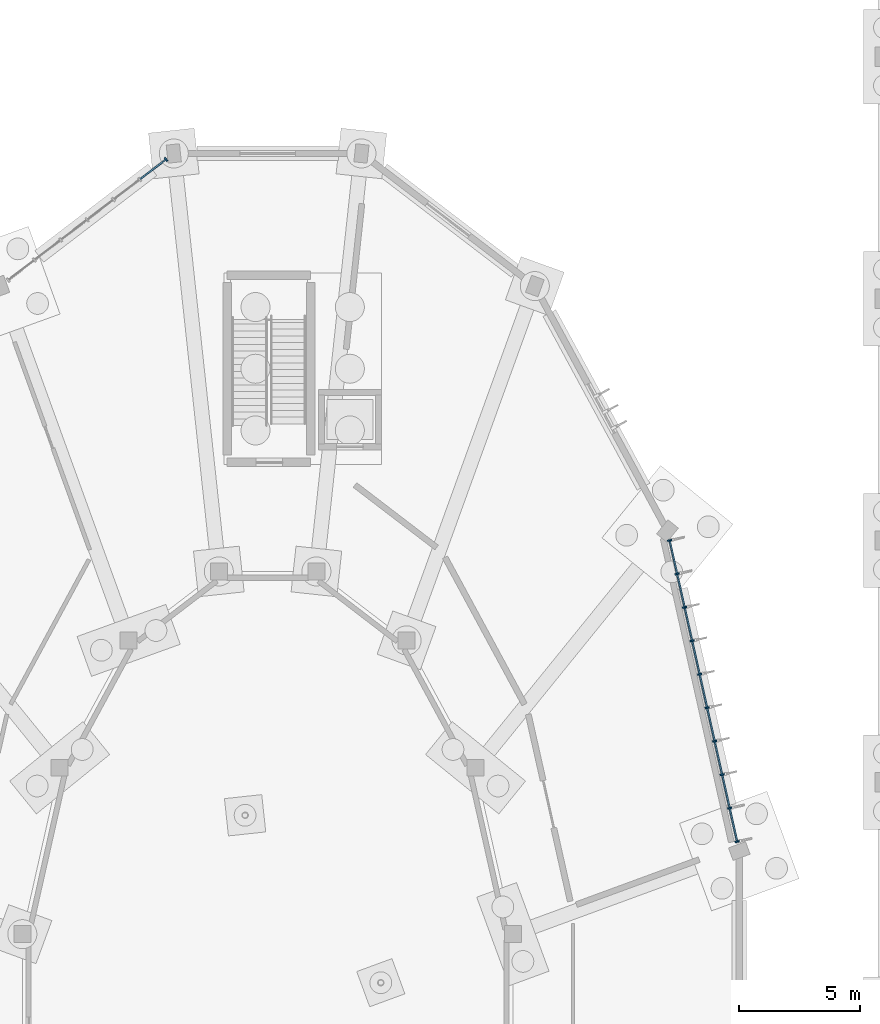
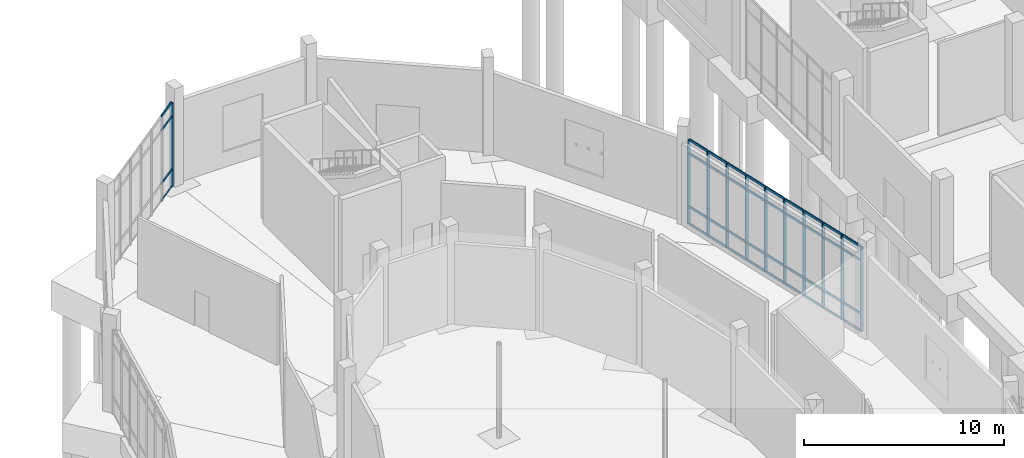
# One storey, part 50 of 140: 51 members, 2 elements without a shape of their own.
"""IFC4 building model written with IfcOpenShell, lengths in metres."""

from ifc_helpers import new_model, si_unit, direction, frame, origin, origin_2d, place, context, subcontext, project, spatial, rectangle, extrude, material, layer, layer_set, material_profile, profile_set, type_object, element, aggregate, save


model = new_model("IFC4")

# Units and contexts
model_context = context("Model", 3, precision=1e-05, world=origin(), true_north=direction((0.0, 1.0)))
body_context = subcontext(model_context, "Body", "Model", "MODEL_VIEW")
ifc_project = project(units=[si_unit("LENGTHUNIT", "METRE"), si_unit("AREAUNIT", "SQUARE_METRE"), si_unit("VOLUMEUNIT", "CUBIC_METRE"), si_unit("PLANEANGLEUNIT", "RADIAN"), si_unit("MASSUNIT", "GRAM", prefix="KILO")], contexts=[model_context])

# Site, building, storey
site_placement = place(None, origin())
site = spatial("IfcSite", under=ifc_project, at=site_placement, CompositionType="ELEMENT")
building_placement = place(site_placement, origin())
building = spatial("IfcBuilding", under=site, at=building_placement, Name="Corvandel Quay Wholesale Market", CompositionType="ELEMENT")
storey_placement = place(building_placement, origin())
storey = spatial("IfcBuildingStorey", under=building, at=storey_placement, Name="L00", CompositionType="ELEMENT", Elevation=0.0)

# Curtain wall, members
ifc_material_1 = material(Name="Bronze anodised aluminium and low-E insulated glazing", Category="aluminium")
ifc_layer_1 = layer(ifc_material_1, 0.174072265625)
ifc_layer_set_1 = layer_set([ifc_layer_1], Name="Bronze anodised aluminium and low-E insulated glazing")
curtain_wall_type_1 = type_object("IfcCurtainWallType", Name="Stick Curtain Wall System CW02 H3180", PredefinedType="NOTDEFINED", material=ifc_layer_set_1)
curtain_wall_1_placement = place(storey_placement, origin())
curtain_wall_1 = element("IfcCurtainWall", 1, at=curtain_wall_1_placement, inside=storey, type_object=curtain_wall_type_1, Name="Curtain Wall CW-0130", PredefinedType="NOTDEFINED")
ifc_material_2 = material(Name="Anodised aluminium 6063-T6", Category="aluminium")
ifc_material_profile_1 = material_profile(ifc_material_2, rectangle(XDim=0.06494140625, YDim=0.179931640625, at=origin_2d()), Name="ALU-MUL-65x180")
ifc_profile_set_1 = profile_set([ifc_material_profile_1], Name="Anodised aluminium 6063-T6")
member_type_1 = type_object("IfcMemberType", Name="Curtain Wall Mullion ML01 65x180", PredefinedType="MULLION", material=ifc_profile_set_1)
member_1_placement = place(storey_placement, frame((213.912353515625, 67.55126953125, 0.0), z_axis=(0.0, 0.0, 1.0), x_axis=(-0.218994806262, 0.975726024471, 0.0)))
member_1 = element("IfcMember", 2, at=member_1_placement, type_object=member_type_1, Name="Mullion CW-0130-M00", PredefinedType="MULLION", context=body_context, shape_type="SweptSolid", body=[
    extrude(rectangle(XDim=0.06494140625, YDim=0.179931640625, at=origin_2d()), origin(), (0.0, 0.0, 1.0), 5.14990234375),
])
member_2_placement = place(storey_placement, frame((213.60205078125, 68.934814453125, 0.0), z_axis=(0.0, 0.0, 1.0), x_axis=(-0.218994806262, 0.975726024471, 0.0)))
member_2 = element("IfcMember", 3, at=member_2_placement, type_object=member_type_1, Name="Mullion CW-0130-M01", PredefinedType="MULLION", context=body_context, shape_type="SweptSolid", body=[
    extrude(rectangle(XDim=0.06494140625, YDim=0.179931640625, at=origin_2d()), origin(), (0.0, 0.0, 1.0), 5.14990234375),
])
member_3_placement = place(storey_placement, frame((213.29150390625, 70.318115234375, 0.0), z_axis=(0.0, 0.0, 1.0), x_axis=(-0.218994806262, 0.975726024471, 0.0)))
member_3 = element("IfcMember", 4, at=member_3_placement, type_object=member_type_1, Name="Mullion CW-0130-M02", PredefinedType="MULLION", context=body_context, shape_type="SweptSolid", body=[
    extrude(rectangle(XDim=0.06494140625, YDim=0.179931640625, at=origin_2d()), origin(), (0.0, 0.0, 1.0), 5.14990234375),
])
member_4_placement = place(storey_placement, frame((212.981201171875, 71.701416015625, 0.0), z_axis=(0.0, 0.0, 1.0), x_axis=(-0.218994806262, 0.975726024471, 0.0)))
member_4 = element("IfcMember", 5, at=member_4_placement, type_object=member_type_1, Name="Mullion CW-0130-M03", PredefinedType="MULLION", context=body_context, shape_type="SweptSolid", body=[
    extrude(rectangle(XDim=0.06494140625, YDim=0.179931640625, at=origin_2d()), origin(), (0.0, 0.0, 1.0), 5.14990234375),
])
member_5_placement = place(storey_placement, frame((212.670654296875, 73.084716796875, 0.0), z_axis=(0.0, 0.0, 1.0), x_axis=(-0.218994806262, 0.975726024471, 0.0)))
member_5 = element("IfcMember", 6, at=member_5_placement, type_object=member_type_1, Name="Mullion CW-0130-M04", PredefinedType="MULLION", context=body_context, shape_type="SweptSolid", body=[
    extrude(rectangle(XDim=0.06494140625, YDim=0.179931640625, at=origin_2d()), origin(), (0.0, 0.0, 1.0), 5.14990234375),
])
member_6_placement = place(storey_placement, frame((212.3603515625, 74.46826171875, 0.0), z_axis=(0.0, 0.0, 1.0), x_axis=(-0.218994806262, 0.975726024471, 0.0)))
member_6 = element("IfcMember", 7, at=member_6_placement, type_object=member_type_1, Name="Mullion CW-0130-M05", PredefinedType="MULLION", context=body_context, shape_type="SweptSolid", body=[
    extrude(rectangle(XDim=0.06494140625, YDim=0.179931640625, at=origin_2d()), origin(), (0.0, 0.0, 1.0), 5.14990234375),
])
member_7_placement = place(storey_placement, frame((212.0498046875, 75.8515625, 0.0), z_axis=(0.0, 0.0, 1.0), x_axis=(-0.218994806262, 0.975726024471, 0.0)))
member_7 = element("IfcMember", 8, at=member_7_placement, type_object=member_type_1, Name="Mullion CW-0130-M06", PredefinedType="MULLION", context=body_context, shape_type="SweptSolid", body=[
    extrude(rectangle(XDim=0.06494140625, YDim=0.179931640625, at=origin_2d()), origin(), (0.0, 0.0, 1.0), 5.14990234375),
])
member_8_placement = place(storey_placement, frame((211.739501953125, 77.23486328125, 0.0), z_axis=(0.0, 0.0, 1.0), x_axis=(-0.218994806262, 0.975726024471, 0.0)))
member_8 = element("IfcMember", 9, at=member_8_placement, type_object=member_type_1, Name="Mullion CW-0130-M07", PredefinedType="MULLION", context=body_context, shape_type="SweptSolid", body=[
    extrude(rectangle(XDim=0.06494140625, YDim=0.179931640625, at=origin_2d()), origin(), (0.0, 0.0, 1.0), 5.14990234375),
])
member_9_placement = place(storey_placement, frame((211.428955078125, 78.618408203125, 0.0), z_axis=(0.0, 0.0, 1.0), x_axis=(-0.218994806262, 0.975726024471, 0.0)))
member_9 = element("IfcMember", 10, at=member_9_placement, type_object=member_type_1, Name="Mullion CW-0130-M08", PredefinedType="MULLION", context=body_context, shape_type="SweptSolid", body=[
    extrude(rectangle(XDim=0.06494140625, YDim=0.179931640625, at=origin_2d()), origin(), (0.0, 0.0, 1.0), 5.14990234375),
])
member_10_placement = place(storey_placement, frame((211.11865234375, 80.001708984375, 0.0), z_axis=(0.0, 0.0, 1.0), x_axis=(-0.218994806262, 0.975726024471, 0.0)))
member_10 = element("IfcMember", 11, at=member_10_placement, type_object=member_type_1, Name="Mullion CW-0130-M09", PredefinedType="MULLION", context=body_context, shape_type="SweptSolid", body=[
    extrude(rectangle(XDim=0.06494140625, YDim=0.179931640625, at=origin_2d()), origin(), (0.0, 0.0, 1.0), 5.14990234375),
])

# Curtain wall, member
ifc_layer_2 = layer(ifc_material_1, 0.162109375)
ifc_layer_set_2 = layer_set([ifc_layer_2], Name="Bronze anodised aluminium and low-E insulated glazing")
curtain_wall_type_2 = type_object("IfcCurtainWallType", Name="Stick Curtain Wall System CW06 H3540", PredefinedType="NOTDEFINED", material=ifc_layer_set_2)
curtain_wall_2_placement = place(storey_placement, origin())
curtain_wall_2 = element("IfcCurtainWall", 12, at=curtain_wall_2_placement, inside=storey, type_object=curtain_wall_type_2, Name="Curtain Wall CW-0133", PredefinedType="NOTDEFINED")
member_11_placement = place(storey_placement, frame((190.30322265625, 95.757080078125, 0.0), z_axis=(0.0, 0.0, 1.0), x_axis=(0.794308601354, 0.607514481979, 0.0)))
member_11 = element("IfcMember", 13, at=member_11_placement, type_object=member_type_1, Name="Mullion CW-0133-M00", PredefinedType="MULLION", context=body_context, shape_type="SweptSolid", body=[
    extrude(rectangle(XDim=0.06494140625, YDim=0.179931640625, at=origin_2d()), origin(), (0.0, 0.0, 1.0), 5.14990234375),
])

# Member
ifc_material_profile_2 = material_profile(ifc_material_2, rectangle(XDim=0.06494140625, YDim=0.139892578125, at=origin_2d()), Name="ALU-TRN-65x140")
ifc_profile_set_2 = profile_set([ifc_material_profile_2], Name="Anodised aluminium 6063-T6")
member_type_2 = type_object("IfcMemberType", Name="Curtain Wall Transom TR01 65x140", PredefinedType="USERDEFINED", material=ifc_profile_set_2)
member_12_placement = place(storey_placement, frame((213.9052734375, 67.5830078125, 0.0), z_axis=(-0.2188980935, 0.975747725932, 0.0), x_axis=(-0.975747725932, -0.2188980935, 0.0)))
member_12 = element("IfcMember", 14, at=member_12_placement, type_object=member_type_2, Name="Transom CW-0130-T00-0", ObjectType="TRANSOM", PredefinedType="USERDEFINED", context=body_context, shape_type="SweptSolid", body=[
    extrude(rectangle(XDim=0.06494140625, YDim=0.139892578125, at=origin_2d()), origin(), (0.0, 0.0, 1.0), 1.352783203125),
])

member_13_placement = place(storey_placement, frame((213.9052734375, 67.5830078125, 1.050048828125), z_axis=(-0.2188980935, 0.975747725932, 0.0), x_axis=(-0.975747725932, -0.2188980935, 0.0)))
member_13 = element("IfcMember", 15, at=member_13_placement, type_object=member_type_2, Name="Transom CW-0130-T00-1", ObjectType="TRANSOM", PredefinedType="USERDEFINED", context=body_context, shape_type="SweptSolid", body=[
    extrude(rectangle(XDim=0.06494140625, YDim=0.139892578125, at=origin_2d()), origin(), (0.0, 0.0, 1.0), 1.352783203125),
])

member_14_placement = place(storey_placement, frame((213.9052734375, 67.5830078125, 4.300048828125), z_axis=(-0.2188980935, 0.975747725932, 0.0), x_axis=(-0.975747725932, -0.2188980935, 0.0)))
member_14 = element("IfcMember", 16, at=member_14_placement, type_object=member_type_2, Name="Transom CW-0130-T00-2", ObjectType="TRANSOM", PredefinedType="USERDEFINED", context=body_context, shape_type="SweptSolid", body=[
    extrude(rectangle(XDim=0.06494140625, YDim=0.139892578125, at=origin_2d()), origin(), (0.0, 0.0, 1.0), 1.352783203125),
])

member_15_placement = place(storey_placement, frame((213.9052734375, 67.5830078125, 5.14990234375), z_axis=(-0.2188980935, 0.975747725932, 0.0), x_axis=(-0.975747725932, -0.2188980935, 0.0)))
member_15 = element("IfcMember", 17, at=member_15_placement, type_object=member_type_2, Name="Transom CW-0130-T00-3", ObjectType="TRANSOM", PredefinedType="USERDEFINED", context=body_context, shape_type="SweptSolid", body=[
    extrude(rectangle(XDim=0.06494140625, YDim=0.139892578125, at=origin_2d()), origin(), (0.0, 0.0, 1.0), 1.352783203125),
])

member_16_placement = place(storey_placement, frame((213.594970703125, 68.96630859375, 0.0), z_axis=(-0.219069896418, 0.975709167982, 0.0), x_axis=(-0.975709167982, -0.219069896418, 0.0)))
member_16 = element("IfcMember", 18, at=member_16_placement, type_object=member_type_2, Name="Transom CW-0130-T01-0", ObjectType="TRANSOM", PredefinedType="USERDEFINED", context=body_context, shape_type="SweptSolid", body=[
    extrude(rectangle(XDim=0.06494140625, YDim=0.139892578125, at=origin_2d()), origin(), (0.0, 0.0, 1.0), 1.35302734375),
])

member_17_placement = place(storey_placement, frame((213.594970703125, 68.96630859375, 1.050048828125), z_axis=(-0.219069896418, 0.975709167982, 0.0), x_axis=(-0.975709167982, -0.219069896418, 0.0)))
member_17 = element("IfcMember", 19, at=member_17_placement, type_object=member_type_2, Name="Transom CW-0130-T01-1", ObjectType="TRANSOM", PredefinedType="USERDEFINED", context=body_context, shape_type="SweptSolid", body=[
    extrude(rectangle(XDim=0.06494140625, YDim=0.139892578125, at=origin_2d()), origin(), (0.0, 0.0, 1.0), 1.35302734375),
])

member_18_placement = place(storey_placement, frame((213.594970703125, 68.96630859375, 4.300048828125), z_axis=(-0.219069896418, 0.975709167982, 0.0), x_axis=(-0.975709167982, -0.219069896418, 0.0)))
member_18 = element("IfcMember", 20, at=member_18_placement, type_object=member_type_2, Name="Transom CW-0130-T01-2", ObjectType="TRANSOM", PredefinedType="USERDEFINED", context=body_context, shape_type="SweptSolid", body=[
    extrude(rectangle(XDim=0.06494140625, YDim=0.139892578125, at=origin_2d()), origin(), (0.0, 0.0, 1.0), 1.35302734375),
])

member_19_placement = place(storey_placement, frame((213.594970703125, 68.96630859375, 5.14990234375), z_axis=(-0.219069896418, 0.975709167982, 0.0), x_axis=(-0.975709167982, -0.219069896418, 0.0)))
member_19 = element("IfcMember", 21, at=member_19_placement, type_object=member_type_2, Name="Transom CW-0130-T01-3", ObjectType="TRANSOM", PredefinedType="USERDEFINED", context=body_context, shape_type="SweptSolid", body=[
    extrude(rectangle(XDim=0.06494140625, YDim=0.139892578125, at=origin_2d()), origin(), (0.0, 0.0, 1.0), 1.35302734375),
])

member_20_placement = place(storey_placement, frame((213.284423828125, 70.349853515625, 0.0), z_axis=(-0.218936644466, 0.975739076654, 0.0), x_axis=(-0.975739076654, -0.218936644466, 0.0)))
member_20 = element("IfcMember", 22, at=member_20_placement, type_object=member_type_2, Name="Transom CW-0130-T02-0", ObjectType="TRANSOM", PredefinedType="USERDEFINED", context=body_context, shape_type="SweptSolid", body=[
    extrude(rectangle(XDim=0.06494140625, YDim=0.139892578125, at=origin_2d()), origin(), (0.0, 0.0, 1.0), 1.3525390625),
])

member_21_placement = place(storey_placement, frame((213.284423828125, 70.349853515625, 1.050048828125), z_axis=(-0.218936644466, 0.975739076654, 0.0), x_axis=(-0.975739076654, -0.218936644466, 0.0)))
member_21 = element("IfcMember", 23, at=member_21_placement, type_object=member_type_2, Name="Transom CW-0130-T02-1", ObjectType="TRANSOM", PredefinedType="USERDEFINED", context=body_context, shape_type="SweptSolid", body=[
    extrude(rectangle(XDim=0.06494140625, YDim=0.139892578125, at=origin_2d()), origin(), (0.0, 0.0, 1.0), 1.3525390625),
])

member_22_placement = place(storey_placement, frame((213.284423828125, 70.349853515625, 4.300048828125), z_axis=(-0.218936644466, 0.975739076654, 0.0), x_axis=(-0.975739076654, -0.218936644466, 0.0)))
member_22 = element("IfcMember", 24, at=member_22_placement, type_object=member_type_2, Name="Transom CW-0130-T02-2", ObjectType="TRANSOM", PredefinedType="USERDEFINED", context=body_context, shape_type="SweptSolid", body=[
    extrude(rectangle(XDim=0.06494140625, YDim=0.139892578125, at=origin_2d()), origin(), (0.0, 0.0, 1.0), 1.3525390625),
])

member_23_placement = place(storey_placement, frame((213.284423828125, 70.349853515625, 5.14990234375), z_axis=(-0.218936644466, 0.975739076654, 0.0), x_axis=(-0.975739076654, -0.218936644466, 0.0)))
member_23 = element("IfcMember", 25, at=member_23_placement, type_object=member_type_2, Name="Transom CW-0130-T02-3", ObjectType="TRANSOM", PredefinedType="USERDEFINED", context=body_context, shape_type="SweptSolid", body=[
    extrude(rectangle(XDim=0.06494140625, YDim=0.139892578125, at=origin_2d()), origin(), (0.0, 0.0, 1.0), 1.3525390625),
])

member_24_placement = place(storey_placement, frame((212.97412109375, 71.733154296875, 0.0), z_axis=(-0.21910847459, 0.975700505464, 0.0), x_axis=(-0.975700505464, -0.21910847459, 0.0)))
member_24 = element("IfcMember", 26, at=member_24_placement, type_object=member_type_2, Name="Transom CW-0130-T03-0", ObjectType="TRANSOM", PredefinedType="USERDEFINED", context=body_context, shape_type="SweptSolid", body=[
    extrude(rectangle(XDim=0.06494140625, YDim=0.139892578125, at=origin_2d()), origin(), (0.0, 0.0, 1.0), 1.352783203125),
])

member_25_placement = place(storey_placement, frame((212.97412109375, 71.733154296875, 1.050048828125), z_axis=(-0.21910847459, 0.975700505464, 0.0), x_axis=(-0.975700505464, -0.21910847459, 0.0)))
member_25 = element("IfcMember", 27, at=member_25_placement, type_object=member_type_2, Name="Transom CW-0130-T03-1", ObjectType="TRANSOM", PredefinedType="USERDEFINED", context=body_context, shape_type="SweptSolid", body=[
    extrude(rectangle(XDim=0.06494140625, YDim=0.139892578125, at=origin_2d()), origin(), (0.0, 0.0, 1.0), 1.352783203125),
])

member_26_placement = place(storey_placement, frame((212.97412109375, 71.733154296875, 4.300048828125), z_axis=(-0.21910847459, 0.975700505464, 0.0), x_axis=(-0.975700505464, -0.21910847459, 0.0)))
member_26 = element("IfcMember", 28, at=member_26_placement, type_object=member_type_2, Name="Transom CW-0130-T03-2", ObjectType="TRANSOM", PredefinedType="USERDEFINED", context=body_context, shape_type="SweptSolid", body=[
    extrude(rectangle(XDim=0.06494140625, YDim=0.139892578125, at=origin_2d()), origin(), (0.0, 0.0, 1.0), 1.352783203125),
])

member_27_placement = place(storey_placement, frame((212.97412109375, 71.733154296875, 5.14990234375), z_axis=(-0.21910847459, 0.975700505464, 0.0), x_axis=(-0.975700505464, -0.21910847459, 0.0)))
member_27 = element("IfcMember", 29, at=member_27_placement, type_object=member_type_2, Name="Transom CW-0130-T03-3", ObjectType="TRANSOM", PredefinedType="USERDEFINED", context=body_context, shape_type="SweptSolid", body=[
    extrude(rectangle(XDim=0.06494140625, YDim=0.139892578125, at=origin_2d()), origin(), (0.0, 0.0, 1.0), 1.352783203125),
])

member_28_placement = place(storey_placement, frame((212.66357421875, 73.116455078125, 0.0), z_axis=(-0.2188980935, 0.975747725932, 0.0), x_axis=(-0.975747725932, -0.2188980935, 0.0)))
member_28 = element("IfcMember", 30, at=member_28_placement, type_object=member_type_2, Name="Transom CW-0130-T04-0", ObjectType="TRANSOM", PredefinedType="USERDEFINED", context=body_context, shape_type="SweptSolid", body=[
    extrude(rectangle(XDim=0.06494140625, YDim=0.139892578125, at=origin_2d()), origin(), (0.0, 0.0, 1.0), 1.352783203125),
])

member_29_placement = place(storey_placement, frame((212.66357421875, 73.116455078125, 1.050048828125), z_axis=(-0.2188980935, 0.975747725932, 0.0), x_axis=(-0.975747725932, -0.2188980935, 0.0)))
member_29 = element("IfcMember", 31, at=member_29_placement, type_object=member_type_2, Name="Transom CW-0130-T04-1", ObjectType="TRANSOM", PredefinedType="USERDEFINED", context=body_context, shape_type="SweptSolid", body=[
    extrude(rectangle(XDim=0.06494140625, YDim=0.139892578125, at=origin_2d()), origin(), (0.0, 0.0, 1.0), 1.352783203125),
])

member_30_placement = place(storey_placement, frame((212.66357421875, 73.116455078125, 4.300048828125), z_axis=(-0.2188980935, 0.975747725932, 0.0), x_axis=(-0.975747725932, -0.2188980935, 0.0)))
member_30 = element("IfcMember", 32, at=member_30_placement, type_object=member_type_2, Name="Transom CW-0130-T04-2", ObjectType="TRANSOM", PredefinedType="USERDEFINED", context=body_context, shape_type="SweptSolid", body=[
    extrude(rectangle(XDim=0.06494140625, YDim=0.139892578125, at=origin_2d()), origin(), (0.0, 0.0, 1.0), 1.352783203125),
])

member_31_placement = place(storey_placement, frame((212.66357421875, 73.116455078125, 5.14990234375), z_axis=(-0.2188980935, 0.975747725932, 0.0), x_axis=(-0.975747725932, -0.2188980935, 0.0)))
member_31 = element("IfcMember", 33, at=member_31_placement, type_object=member_type_2, Name="Transom CW-0130-T04-3", ObjectType="TRANSOM", PredefinedType="USERDEFINED", context=body_context, shape_type="SweptSolid", body=[
    extrude(rectangle(XDim=0.06494140625, YDim=0.139892578125, at=origin_2d()), origin(), (0.0, 0.0, 1.0), 1.352783203125),
])

member_32_placement = place(storey_placement, frame((212.353271484375, 74.5, 0.0), z_axis=(-0.21910847459, 0.975700505464, 0.0), x_axis=(-0.975700505464, -0.21910847459, 0.0)))
member_32 = element("IfcMember", 34, at=member_32_placement, type_object=member_type_2, Name="Transom CW-0130-T05-0", ObjectType="TRANSOM", PredefinedType="USERDEFINED", context=body_context, shape_type="SweptSolid", body=[
    extrude(rectangle(XDim=0.06494140625, YDim=0.139892578125, at=origin_2d()), origin(), (0.0, 0.0, 1.0), 1.352783203125),
])

member_33_placement = place(storey_placement, frame((212.353271484375, 74.5, 1.050048828125), z_axis=(-0.21910847459, 0.975700505464, 0.0), x_axis=(-0.975700505464, -0.21910847459, 0.0)))
member_33 = element("IfcMember", 35, at=member_33_placement, type_object=member_type_2, Name="Transom CW-0130-T05-1", ObjectType="TRANSOM", PredefinedType="USERDEFINED", context=body_context, shape_type="SweptSolid", body=[
    extrude(rectangle(XDim=0.06494140625, YDim=0.139892578125, at=origin_2d()), origin(), (0.0, 0.0, 1.0), 1.352783203125),
])

member_34_placement = place(storey_placement, frame((212.353271484375, 74.5, 4.300048828125), z_axis=(-0.21910847459, 0.975700505464, 0.0), x_axis=(-0.975700505464, -0.21910847459, 0.0)))
member_34 = element("IfcMember", 36, at=member_34_placement, type_object=member_type_2, Name="Transom CW-0130-T05-2", ObjectType="TRANSOM", PredefinedType="USERDEFINED", context=body_context, shape_type="SweptSolid", body=[
    extrude(rectangle(XDim=0.06494140625, YDim=0.139892578125, at=origin_2d()), origin(), (0.0, 0.0, 1.0), 1.352783203125),
])

member_35_placement = place(storey_placement, frame((212.353271484375, 74.5, 5.14990234375), z_axis=(-0.21910847459, 0.975700505464, 0.0), x_axis=(-0.975700505464, -0.21910847459, 0.0)))
member_35 = element("IfcMember", 37, at=member_35_placement, type_object=member_type_2, Name="Transom CW-0130-T05-3", ObjectType="TRANSOM", PredefinedType="USERDEFINED", context=body_context, shape_type="SweptSolid", body=[
    extrude(rectangle(XDim=0.06494140625, YDim=0.139892578125, at=origin_2d()), origin(), (0.0, 0.0, 1.0), 1.352783203125),
])

member_36_placement = place(storey_placement, frame((212.042724609375, 75.88330078125, 0.0), z_axis=(-0.218936644466, 0.975739076654, 0.0), x_axis=(-0.975739076654, -0.218936644466, 0.0)))
member_36 = element("IfcMember", 38, at=member_36_placement, type_object=member_type_2, Name="Transom CW-0130-T06-0", ObjectType="TRANSOM", PredefinedType="USERDEFINED", context=body_context, shape_type="SweptSolid", body=[
    extrude(rectangle(XDim=0.06494140625, YDim=0.139892578125, at=origin_2d()), origin(), (0.0, 0.0, 1.0), 1.3525390625),
])

member_37_placement = place(storey_placement, frame((212.042724609375, 75.88330078125, 1.050048828125), z_axis=(-0.218936644466, 0.975739076654, 0.0), x_axis=(-0.975739076654, -0.218936644466, 0.0)))
member_37 = element("IfcMember", 39, at=member_37_placement, type_object=member_type_2, Name="Transom CW-0130-T06-1", ObjectType="TRANSOM", PredefinedType="USERDEFINED", context=body_context, shape_type="SweptSolid", body=[
    extrude(rectangle(XDim=0.06494140625, YDim=0.139892578125, at=origin_2d()), origin(), (0.0, 0.0, 1.0), 1.3525390625),
])

member_38_placement = place(storey_placement, frame((212.042724609375, 75.88330078125, 4.300048828125), z_axis=(-0.218936644466, 0.975739076654, 0.0), x_axis=(-0.975739076654, -0.218936644466, 0.0)))
member_38 = element("IfcMember", 40, at=member_38_placement, type_object=member_type_2, Name="Transom CW-0130-T06-2", ObjectType="TRANSOM", PredefinedType="USERDEFINED", context=body_context, shape_type="SweptSolid", body=[
    extrude(rectangle(XDim=0.06494140625, YDim=0.139892578125, at=origin_2d()), origin(), (0.0, 0.0, 1.0), 1.3525390625),
])

member_39_placement = place(storey_placement, frame((212.042724609375, 75.88330078125, 5.14990234375), z_axis=(-0.218936644466, 0.975739076654, 0.0), x_axis=(-0.975739076654, -0.218936644466, 0.0)))
member_39 = element("IfcMember", 41, at=member_39_placement, type_object=member_type_2, Name="Transom CW-0130-T06-3", ObjectType="TRANSOM", PredefinedType="USERDEFINED", context=body_context, shape_type="SweptSolid", body=[
    extrude(rectangle(XDim=0.06494140625, YDim=0.139892578125, at=origin_2d()), origin(), (0.0, 0.0, 1.0), 1.3525390625),
])

member_40_placement = place(storey_placement, frame((211.732421875, 77.2666015625, 0.0), z_axis=(-0.219069896418, 0.975709167982, 0.0), x_axis=(-0.975709167982, -0.219069896418, 0.0)))
member_40 = element("IfcMember", 42, at=member_40_placement, type_object=member_type_2, Name="Transom CW-0130-T07-0", ObjectType="TRANSOM", PredefinedType="USERDEFINED", context=body_context, shape_type="SweptSolid", body=[
    extrude(rectangle(XDim=0.06494140625, YDim=0.139892578125, at=origin_2d()), origin(), (0.0, 0.0, 1.0), 1.35302734375),
])

member_41_placement = place(storey_placement, frame((211.732421875, 77.2666015625, 1.050048828125), z_axis=(-0.219069896418, 0.975709167982, 0.0), x_axis=(-0.975709167982, -0.219069896418, 0.0)))
member_41 = element("IfcMember", 43, at=member_41_placement, type_object=member_type_2, Name="Transom CW-0130-T07-1", ObjectType="TRANSOM", PredefinedType="USERDEFINED", context=body_context, shape_type="SweptSolid", body=[
    extrude(rectangle(XDim=0.06494140625, YDim=0.139892578125, at=origin_2d()), origin(), (0.0, 0.0, 1.0), 1.35302734375),
])

member_42_placement = place(storey_placement, frame((211.732421875, 77.2666015625, 4.300048828125), z_axis=(-0.219069896418, 0.975709167982, 0.0), x_axis=(-0.975709167982, -0.219069896418, 0.0)))
member_42 = element("IfcMember", 44, at=member_42_placement, type_object=member_type_2, Name="Transom CW-0130-T07-2", ObjectType="TRANSOM", PredefinedType="USERDEFINED", context=body_context, shape_type="SweptSolid", body=[
    extrude(rectangle(XDim=0.06494140625, YDim=0.139892578125, at=origin_2d()), origin(), (0.0, 0.0, 1.0), 1.35302734375),
])

member_43_placement = place(storey_placement, frame((211.732421875, 77.2666015625, 5.14990234375), z_axis=(-0.219069896418, 0.975709167982, 0.0), x_axis=(-0.975709167982, -0.219069896418, 0.0)))
member_43 = element("IfcMember", 45, at=member_43_placement, type_object=member_type_2, Name="Transom CW-0130-T07-3", ObjectType="TRANSOM", PredefinedType="USERDEFINED", context=body_context, shape_type="SweptSolid", body=[
    extrude(rectangle(XDim=0.06494140625, YDim=0.139892578125, at=origin_2d()), origin(), (0.0, 0.0, 1.0), 1.35302734375),
])

member_44_placement = place(storey_placement, frame((211.421875, 78.64990234375, 0.0), z_axis=(-0.2188980935, 0.975747725932, 0.0), x_axis=(-0.975747725932, -0.2188980935, 0.0)))
member_44 = element("IfcMember", 46, at=member_44_placement, type_object=member_type_2, Name="Transom CW-0130-T08-0", ObjectType="TRANSOM", PredefinedType="USERDEFINED", context=body_context, shape_type="SweptSolid", body=[
    extrude(rectangle(XDim=0.06494140625, YDim=0.139892578125, at=origin_2d()), origin(), (0.0, 0.0, 1.0), 1.352783203125),
])

member_45_placement = place(storey_placement, frame((211.421875, 78.64990234375, 1.050048828125), z_axis=(-0.2188980935, 0.975747725932, 0.0), x_axis=(-0.975747725932, -0.2188980935, 0.0)))
member_45 = element("IfcMember", 47, at=member_45_placement, type_object=member_type_2, Name="Transom CW-0130-T08-1", ObjectType="TRANSOM", PredefinedType="USERDEFINED", context=body_context, shape_type="SweptSolid", body=[
    extrude(rectangle(XDim=0.06494140625, YDim=0.139892578125, at=origin_2d()), origin(), (0.0, 0.0, 1.0), 1.352783203125),
])

member_46_placement = place(storey_placement, frame((211.421875, 78.64990234375, 4.300048828125), z_axis=(-0.2188980935, 0.975747725932, 0.0), x_axis=(-0.975747725932, -0.2188980935, 0.0)))
member_46 = element("IfcMember", 48, at=member_46_placement, type_object=member_type_2, Name="Transom CW-0130-T08-2", ObjectType="TRANSOM", PredefinedType="USERDEFINED", context=body_context, shape_type="SweptSolid", body=[
    extrude(rectangle(XDim=0.06494140625, YDim=0.139892578125, at=origin_2d()), origin(), (0.0, 0.0, 1.0), 1.352783203125),
])

member_47_placement = place(storey_placement, frame((211.421875, 78.64990234375, 5.14990234375), z_axis=(-0.2188980935, 0.975747725932, 0.0), x_axis=(-0.975747725932, -0.2188980935, 0.0)))
member_47 = element("IfcMember", 49, at=member_47_placement, type_object=member_type_2, Name="Transom CW-0130-T08-3", ObjectType="TRANSOM", PredefinedType="USERDEFINED", context=body_context, shape_type="SweptSolid", body=[
    extrude(rectangle(XDim=0.06494140625, YDim=0.139892578125, at=origin_2d()), origin(), (0.0, 0.0, 1.0), 1.352783203125),
])

aggregate(curtain_wall_1, [member_1, member_2, member_3, member_4, member_5, member_6, member_7, member_8, member_9, member_10, member_12, member_13, member_14, member_15, member_16, member_17, member_18, member_19, member_20, member_21, member_22, member_23, member_24, member_25, member_26, member_27, member_28, member_29, member_30, member_31, member_32, member_33, member_34, member_35, member_36, member_37, member_38, member_39, member_40, member_41, member_42, member_43, member_44, member_45, member_46, member_47])

member_48_placement = place(storey_placement, frame((190.27734375, 95.7373046875, 0.0), z_axis=(-0.794331288163, -0.607484818449, 0.0), x_axis=(0.607484818449, -0.794331288163, 0.0)))
member_48 = element("IfcMember", 50, at=member_48_placement, type_object=member_type_2, Name="Transom CW-0133-T00-0", ObjectType="TRANSOM", PredefinedType="USERDEFINED", context=body_context, shape_type="SweptSolid", body=[
    extrude(rectangle(XDim=0.06494140625, YDim=0.139892578125, at=origin_2d()), origin(), (0.0, 0.0, 1.0), 1.305419921875),
])

member_49_placement = place(storey_placement, frame((190.27734375, 95.7373046875, 1.050048828125), z_axis=(-0.794331288163, -0.607484818449, 0.0), x_axis=(0.607484818449, -0.794331288163, 0.0)))
member_49 = element("IfcMember", 51, at=member_49_placement, type_object=member_type_2, Name="Transom CW-0133-T00-1", ObjectType="TRANSOM", PredefinedType="USERDEFINED", context=body_context, shape_type="SweptSolid", body=[
    extrude(rectangle(XDim=0.06494140625, YDim=0.139892578125, at=origin_2d()), origin(), (0.0, 0.0, 1.0), 1.305419921875),
])

member_50_placement = place(storey_placement, frame((190.27734375, 95.7373046875, 4.300048828125), z_axis=(-0.794331288163, -0.607484818449, 0.0), x_axis=(0.607484818449, -0.794331288163, 0.0)))
member_50 = element("IfcMember", 52, at=member_50_placement, type_object=member_type_2, Name="Transom CW-0133-T00-2", ObjectType="TRANSOM", PredefinedType="USERDEFINED", context=body_context, shape_type="SweptSolid", body=[
    extrude(rectangle(XDim=0.06494140625, YDim=0.139892578125, at=origin_2d()), origin(), (0.0, 0.0, 1.0), 1.305419921875),
])

member_51_placement = place(storey_placement, frame((190.27734375, 95.7373046875, 5.14990234375), z_axis=(-0.794331288163, -0.607484818449, 0.0), x_axis=(0.607484818449, -0.794331288163, 0.0)))
member_51 = element("IfcMember", 53, at=member_51_placement, type_object=member_type_2, Name="Transom CW-0133-T00-3", ObjectType="TRANSOM", PredefinedType="USERDEFINED", context=body_context, shape_type="SweptSolid", body=[
    extrude(rectangle(XDim=0.06494140625, YDim=0.139892578125, at=origin_2d()), origin(), (0.0, 0.0, 1.0), 1.305419921875),
])

aggregate(curtain_wall_2, [member_11, member_48, member_49, member_50, member_51])

save(model, "model.ifc")
